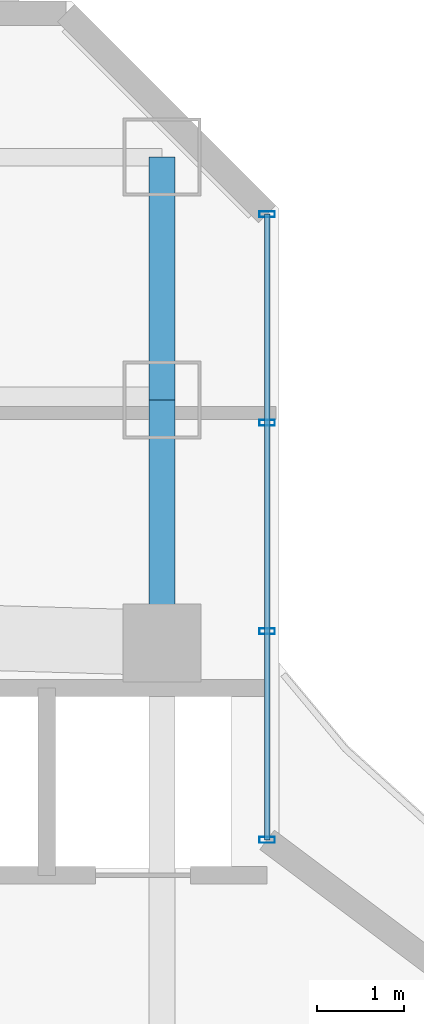
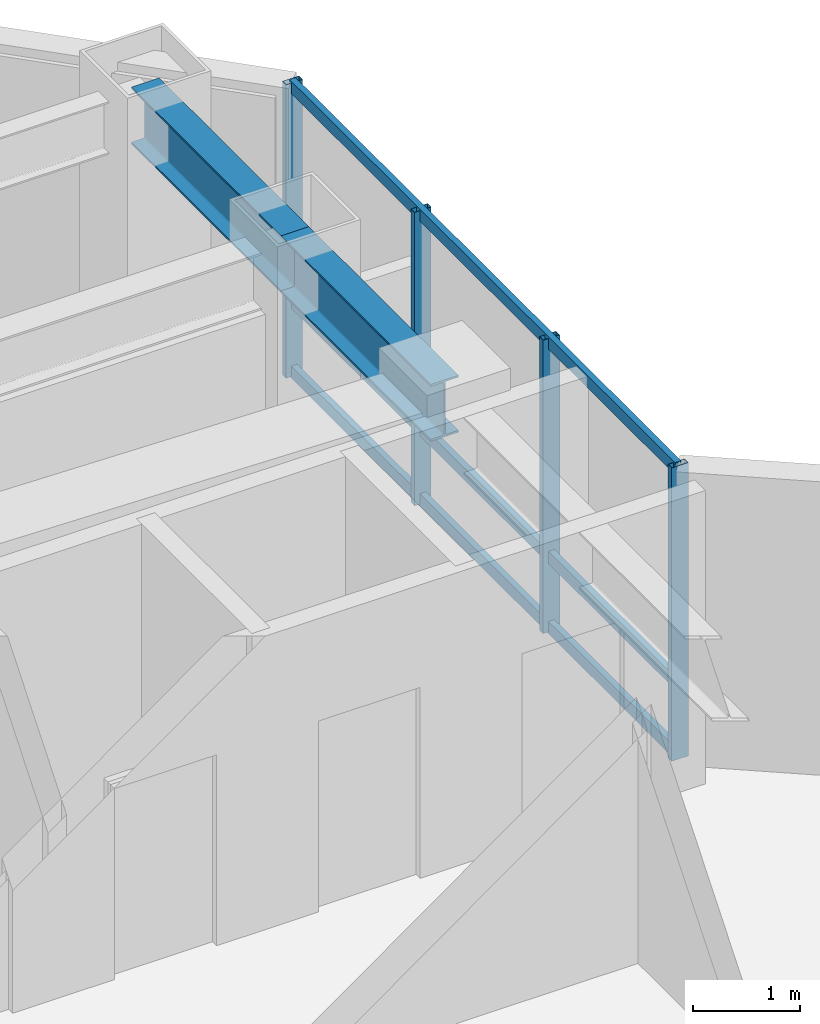
# One storey, part 19 of 29: 7 members, 2 beams, 1 element without a shape of its own.
"""IFC4 building model written with IfcOpenShell, lengths in metres."""

from ifc_helpers import new_model, si_unit, direction, frame, origin, origin_2d, place, context, subcontext, project, spatial, hollow_rectangle, i_section, extrude, material, layer, layer_set, material_profile, profile_set, type_object, element, aggregate, save


model = new_model("IFC4")

# Units and contexts
model_context = context("Model", 3, precision=1e-05, world=origin(), true_north=direction((0.0, 1.0)))
body_context = subcontext(model_context, "Body", "Model", "MODEL_VIEW")
ifc_project = project(units=[si_unit("LENGTHUNIT", "METRE"), si_unit("AREAUNIT", "SQUARE_METRE"), si_unit("VOLUMEUNIT", "CUBIC_METRE"), si_unit("PLANEANGLEUNIT", "RADIAN"), si_unit("MASSUNIT", "GRAM", prefix="KILO")], contexts=[model_context])

# Site, building, storey
site_placement = place(None, origin())
site = spatial("IfcSite", under=ifc_project, at=site_placement, CompositionType="ELEMENT")
building_placement = place(site_placement, origin())
building = spatial("IfcBuilding", under=site, at=building_placement, Name="Hatsunagi Terrace Concourse", CompositionType="ELEMENT")
storey_placement = place(building_placement, frame((0.0, 0.0, 108.449951171875)))
storey = spatial("IfcBuildingStorey", under=building, at=storey_placement, Name="L28", CompositionType="ELEMENT", Elevation=108.449951171875)

# Curtain wall, members
ifc_material_1 = material(Name="Anodised Aluminium Alloy 6063-T5", Category="aluminium")
ifc_layer = layer(ifc_material_1, 0.199951171875)
ifc_layer_set = layer_set([ifc_layer], Name="OfficeZone1_CW03")
curtain_wall_type = type_object("IfcCurtainWallType", Name="OfficeZone1_CW03", PredefinedType="NOTDEFINED", material=ifc_layer_set)
curtain_wall_placement = place(storey_placement, origin())
curtain_wall = element("IfcCurtainWall", 1, at=curtain_wall_placement, inside=storey, type_object=curtain_wall_type, Name="Unitised Curtain Wall CW-03 CW-L28-13", PredefinedType="NOTDEFINED")
ifc_material_2 = material(Name="Anodised Aluminium Alloy 6063-T5", Category="aluminium")
ifc_material_profile_1 = material_profile(ifc_material_2, hollow_rectangle(XDim=0.070068359375, YDim=0.179931640625, WallThickness=0.00390625, at=origin_2d()), Name="ALU-MUL-180x70x4")
ifc_profile_set_1 = profile_set([ifc_material_profile_1], Name="Anodised Aluminium Alloy 6063-T5")
member_type_1 = type_object("IfcMemberType", Name="CurtainWallMullion_180x70", PredefinedType="MULLION", material=ifc_profile_set_1)
member_1_placement = place(storey_placement, frame((44.860107421875, 47.94189453125, 0.0), z_axis=(0.0, 0.0, 1.0), x_axis=(0.0, -1.0, 0.0)))
member_1 = element("IfcMember", 2, at=member_1_placement, type_object=member_type_1, Name="Curtain Wall Mullion MUL-02", PredefinedType="MULLION", context=body_context, shape_type="SweptSolid", body=[
    extrude(hollow_rectangle(XDim=0.070068359375, YDim=0.179931640625, WallThickness=0.00390625, at=origin_2d()), origin(), (0.0, 0.0, 1.0), 3.35009765625),
])
member_2_placement = place(storey_placement, frame((44.860107421875, 45.5380859375, 0.0), z_axis=(0.0, 0.0, 1.0), x_axis=(0.0, -1.0, 0.0)))
member_2 = element("IfcMember", 3, at=member_2_placement, type_object=member_type_1, Name="Curtain Wall Mullion MUL-02", PredefinedType="MULLION", context=body_context, shape_type="SweptSolid", body=[
    extrude(hollow_rectangle(XDim=0.070068359375, YDim=0.179931640625, WallThickness=0.00390625, at=origin_2d()), origin(), (0.0, 0.0, 1.0), 3.35009765625),
])
member_3_placement = place(storey_placement, frame((44.860107421875, 43.134033203125, 0.0), z_axis=(0.0, 0.0, 1.0), x_axis=(0.0, -1.0, 0.0)))
member_3 = element("IfcMember", 4, at=member_3_placement, type_object=member_type_1, Name="Curtain Wall Mullion MUL-02", PredefinedType="MULLION", context=body_context, shape_type="SweptSolid", body=[
    extrude(hollow_rectangle(XDim=0.070068359375, YDim=0.179931640625, WallThickness=0.00390625, at=origin_2d()), origin(), (0.0, 0.0, 1.0), 3.35009765625),
])
member_4_placement = place(storey_placement, frame((44.860107421875, 40.72998046875, 0.0), z_axis=(0.0, 0.0, 1.0), x_axis=(0.0, -1.0, 0.0)))
member_4 = element("IfcMember", 5, at=member_4_placement, type_object=member_type_1, Name="Curtain Wall Mullion MUL-02", PredefinedType="MULLION", context=body_context, shape_type="SweptSolid", body=[
    extrude(hollow_rectangle(XDim=0.070068359375, YDim=0.179931640625, WallThickness=0.00390625, at=origin_2d()), origin(), (0.0, 0.0, 1.0), 3.35009765625),
])
ifc_material_3 = material(Name="Anodised Aluminium Alloy 6063-T5", Category="aluminium")
ifc_material_profile_2 = material_profile(ifc_material_3, hollow_rectangle(XDim=0.06494140625, YDim=0.139892578125, WallThickness=0.00390625, at=origin_2d()), Name="ALU-TRN-140x65x4")
ifc_profile_set_2 = profile_set([ifc_material_profile_2], Name="Anodised Aluminium Alloy 6063-T5")
member_type_2 = type_object("IfcMemberType", Name="CurtainWallTransom_140x65", PredefinedType="USERDEFINED", material=ifc_profile_set_2)
member_5_placement = place(storey_placement, frame((44.860107421875, 47.94189453125, 0.050048828125), z_axis=(0.0, -1.0, 0.0), x_axis=(1.0, 0.0, 0.0)))
member_5 = element("IfcMember", 6, at=member_5_placement, type_object=member_type_2, Name="Curtain Wall Transom TRN-02", ObjectType="TRANSOM", PredefinedType="USERDEFINED", context=body_context, shape_type="SweptSolid", body=[
    extrude(hollow_rectangle(XDim=0.06494140625, YDim=0.139892578125, WallThickness=0.00390625, at=origin_2d()), origin(), (0.0, 0.0, 1.0), 7.2119140625),
])
member_6_placement = place(storey_placement, frame((44.860107421875, 47.94189453125, 0.85009765625), z_axis=(0.0, -1.0, 0.0), x_axis=(1.0, 0.0, 0.0)))
member_6 = element("IfcMember", 7, at=member_6_placement, type_object=member_type_2, Name="Curtain Wall Transom TRN-02", ObjectType="TRANSOM", PredefinedType="USERDEFINED", context=body_context, shape_type="SweptSolid", body=[
    extrude(hollow_rectangle(XDim=0.06494140625, YDim=0.139892578125, WallThickness=0.00390625, at=origin_2d()), origin(), (0.0, 0.0, 1.0), 7.2119140625),
])
member_7_placement = place(storey_placement, frame((44.860107421875, 47.94189453125, 3.300048828125), z_axis=(0.0, -1.0, 0.0), x_axis=(1.0, 0.0, 0.0)))
member_7 = element("IfcMember", 8, at=member_7_placement, type_object=member_type_2, Name="Curtain Wall Transom TRN-02", ObjectType="TRANSOM", PredefinedType="USERDEFINED", context=body_context, shape_type="SweptSolid", body=[
    extrude(hollow_rectangle(XDim=0.06494140625, YDim=0.139892578125, WallThickness=0.00390625, at=origin_2d()), origin(), (0.0, 0.0, 1.0), 7.2119140625),
])
aggregate(curtain_wall, [member_1, member_2, member_3, member_4, member_5, member_6, member_7])

# Beams
ifc_material_4 = material(Name="Steel SN490B", Category="steel")
ifc_material_profile_3 = material_profile(ifc_material_4, i_section(OverallWidth=0.300048828125, OverallDepth=0.64990234375, WebThickness=0.012939453125, FlangeThickness=0.02197265625, FilletRadius=0.01806640625, at=origin_2d()), Name="H-650x300x13x22")
ifc_profile_set_3 = profile_set([ifc_material_profile_3], Name="Steel SN490B")
beam_type = type_object("IfcBeamType", Name="OfficeLowGirder_H_650x300", PredefinedType="BEAM", material=ifc_profile_set_3)
for number, where, z_axis, x_axis, name in (
    (9, (43.64990234375, 43.0, 3.025146484375), (0.0, 1.0, 0.0), (-1.0, 0.0, 0.0), "Beam G-05 BM-L28-CN3"),
    (10, (43.64990234375, 45.800048828125, 3.025146484375), (0.0, 1.0, 0.0), (-1.0, 0.0, 0.0), "Beam G-05 BM-L28-KN-WN6"),
):
    element("IfcBeam", number, at=place(storey_placement, frame(where, z_axis=z_axis, x_axis=x_axis)), inside=storey, type_object=beam_type, Name=name, PredefinedType="BEAM", context=body_context, shape_type="SweptSolid", body=[
        extrude(i_section(OverallWidth=0.300048828125, OverallDepth=0.64990234375, WebThickness=0.012939453125, FlangeThickness=0.02197265625, FilletRadius=0.01806640625, at=origin_2d()), origin(), (0.0, 0.0, 1.0), 2.800048828125),
    ])

save(model, "model.ifc")
